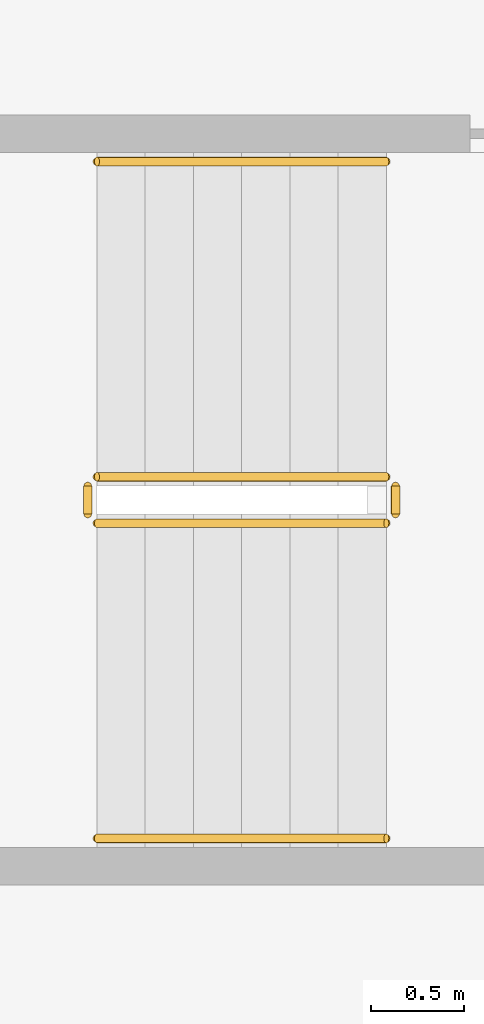
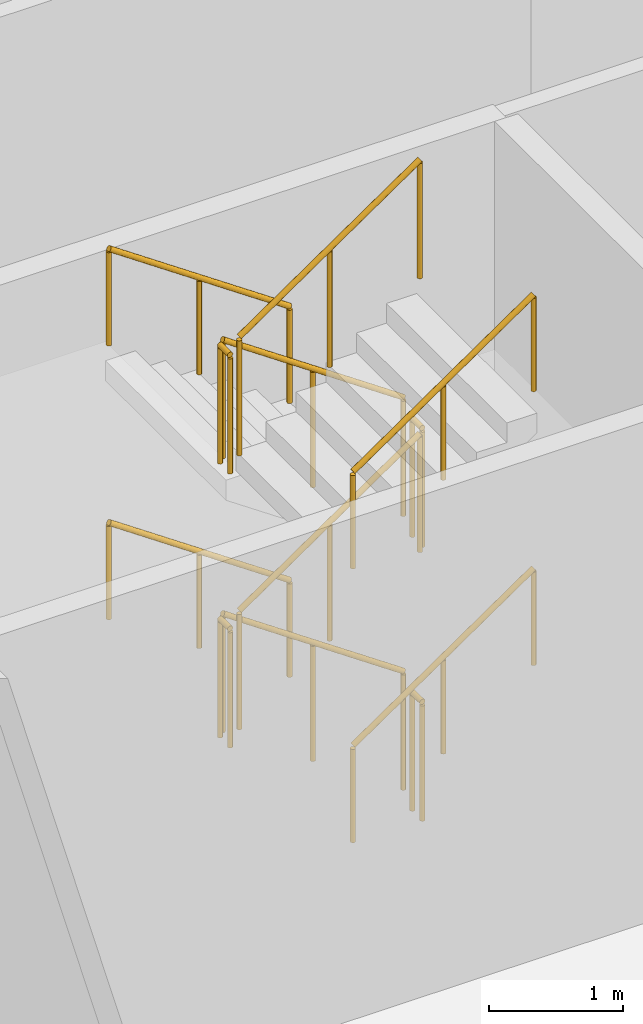
# One storey, part 56 of 59: 12 railings.
"""IFC4 building model written with IfcOpenShell, lengths in metres."""

from ifc_helpers import new_model, si_unit, direction, frame, origin, origin_2d, place, context, subcontext, project, spatial, circle, extrude, material, type_object, element, save


model = new_model("IFC4")

# Units and contexts
model_context = context("Model", 3, precision=1e-05, world=origin(), true_north=direction((0.0, 1.0)))
body_context = subcontext(model_context, "Body", "Model", "MODEL_VIEW")
ifc_project = project(units=[si_unit("LENGTHUNIT", "METRE"), si_unit("AREAUNIT", "SQUARE_METRE"), si_unit("VOLUMEUNIT", "CUBIC_METRE"), si_unit("PLANEANGLEUNIT", "RADIAN"), si_unit("MASSUNIT", "GRAM", prefix="KILO")], contexts=[model_context])

# Site, building, storey
site_placement = place(None, origin())
site = spatial("IfcSite", under=ifc_project, at=site_placement, CompositionType="ELEMENT")
building_placement = place(site_placement, origin())
building = spatial("IfcBuilding", under=site, at=building_placement, Name="Ipe Terrace Towers", CompositionType="ELEMENT")
storey_placement = place(building_placement, frame((0.0, 0.0, 6.0)))
storey = spatial("IfcBuildingStorey", under=building, at=storey_placement, Name="L01", CompositionType="ELEMENT", Elevation=6.0)

# Railings
ifc_material_1 = material(Name="Steel S355", Category="steel")
railing_type_1 = type_object("IfcRailingType", Name="Stair guard 1100", PredefinedType="GUARDRAIL", material=ifc_material_1)
railing_1_placement = place(storey_placement, frame((-54.27001953125, 24.64990234375, 0.178466796875)))
element("IfcRailing", 1, at=railing_1_placement, inside=storey, type_object=railing_type_1, Name="L01 PS1 stair guard 1", PredefinedType="GUARDRAIL", context=body_context, shape_type="SweptSolid", body=[
    extrude(circle(Radius=0.02392578125, at=origin_2d()), frame((0.0, 0.0, 1.076171875), z_axis=(-0.82429025813, 0.0, 0.566167440208), x_axis=(0.0, -1.0, 0.0)), (0.0, 0.0, 1.0), 1.892578125),
    extrude(circle(Radius=0.02099609375, at=origin_2d()), origin(), (0.0, 0.0, 1.0), 1.052001953125),
    extrude(circle(Radius=0.02099609375, at=origin_2d()), frame((-0.780029296875, 0.0, 0.53564453125)), (0.0, 0.0, 1.0), 1.052001953125),
    extrude(circle(Radius=0.02099609375, at=origin_2d()), frame((-1.56005859375, 0.0, 1.071533203125)), (0.0, 0.0, 1.0), 1.052001953125),
])
railing_2_placement = place(storey_placement, frame((-55.8798828125, 24.60009765625, 1.25)))
element("IfcRailing", 2, at=railing_2_placement, inside=storey, type_object=railing_type_1, Name="L01 PS1 stair guard 2", PredefinedType="GUARDRAIL", context=body_context, shape_type="SweptSolid", body=[
    extrude(circle(Radius=0.02392578125, at=origin_2d()), frame((0.0, 0.0, 1.076171875), z_axis=(0.0, -1.0, 0.0), x_axis=(1.0, 0.0, 0.0)), (0.0, 0.0, 1.0), 0.150146484375),
    extrude(circle(Radius=0.02099609375, at=origin_2d()), origin(), (0.0, 0.0, 1.0), 1.052001953125),
    extrude(circle(Radius=0.02099609375, at=origin_2d()), frame((0.0, -0.150146484375, 0.0)), (0.0, 0.0, 1.0), 1.052001953125),
])
railing_3_placement = place(storey_placement, frame((-55.830078125, 24.39990234375, 1.428466796875)))
element("IfcRailing", 3, at=railing_3_placement, inside=storey, type_object=railing_type_1, Name="L01 PS1 stair guard 3", PredefinedType="GUARDRAIL", context=body_context, shape_type="SweptSolid", body=[
    extrude(circle(Radius=0.02392578125, at=origin_2d()), frame((0.0, 0.0, 1.076171875), z_axis=(0.82429025813, 0.0, 0.566167440208), x_axis=(0.0, 1.0, 0.0)), (0.0, 0.0, 1.0), 1.892578125),
    extrude(circle(Radius=0.02099609375, at=origin_2d()), origin(), (0.0, 0.0, 1.0), 1.052001953125),
    extrude(circle(Radius=0.02099609375, at=origin_2d()), frame((0.780029296875, 0.0, 0.53564453125)), (0.0, 0.0, 1.0), 1.052001953125),
    extrude(circle(Radius=0.02099609375, at=origin_2d()), frame((1.56005859375, 0.0, 1.071533203125)), (0.0, 0.0, 1.0), 1.052001953125),
])
railing_4_placement = place(storey_placement, frame((-54.219970703125, 24.60009765625, 2.5)))
element("IfcRailing", 4, at=railing_4_placement, inside=storey, type_object=railing_type_1, Name="L01 PS1 stair guard 4", PredefinedType="GUARDRAIL", context=body_context, shape_type="SweptSolid", body=[
    extrude(circle(Radius=0.02392578125, at=origin_2d()), frame((0.0, 0.0, 1.076171875), z_axis=(0.0, -1.0, 0.0), x_axis=(1.0, 0.0, 0.0)), (0.0, 0.0, 1.0), 0.150146484375),
    extrude(circle(Radius=0.02099609375, at=origin_2d()), origin(), (0.0, 0.0, 1.0), 1.052001953125),
    extrude(circle(Radius=0.02099609375, at=origin_2d()), frame((0.0, -0.150146484375, 0.0)), (0.0, 0.0, 1.0), 1.052001953125),
])
railing_5_placement = place(storey_placement, frame((-54.27001953125, 24.64990234375, 2.678466796875)))
element("IfcRailing", 5, at=railing_5_placement, inside=storey, type_object=railing_type_1, Name="L01 PS1 stair guard 5", PredefinedType="GUARDRAIL", context=body_context, shape_type="SweptSolid", body=[
    extrude(circle(Radius=0.02392578125, at=origin_2d()), frame((0.0, 0.0, 1.076171875), z_axis=(-0.82429025813, 0.0, 0.566167440208), x_axis=(0.0, -1.0, 0.0)), (0.0, 0.0, 1.0), 1.892578125),
    extrude(circle(Radius=0.02099609375, at=origin_2d()), origin(), (0.0, 0.0, 1.0), 1.052001953125),
    extrude(circle(Radius=0.02099609375, at=origin_2d()), frame((-0.780029296875, 0.0, 0.53564453125)), (0.0, 0.0, 1.0), 1.052001953125),
    extrude(circle(Radius=0.02099609375, at=origin_2d()), frame((-1.56005859375, 0.0, 1.071533203125)), (0.0, 0.0, 1.0), 1.052001953125),
])
railing_6_placement = place(storey_placement, frame((-55.8798828125, 24.60009765625, 3.75)))
element("IfcRailing", 6, at=railing_6_placement, inside=storey, type_object=railing_type_1, Name="L01 PS1 stair guard 6", PredefinedType="GUARDRAIL", context=body_context, shape_type="SweptSolid", body=[
    extrude(circle(Radius=0.02392578125, at=origin_2d()), frame((0.0, 0.0, 1.076171875), z_axis=(0.0, -1.0, 0.0), x_axis=(1.0, 0.0, 0.0)), (0.0, 0.0, 1.0), 0.150146484375),
    extrude(circle(Radius=0.02099609375, at=origin_2d()), origin(), (0.0, 0.0, 1.0), 1.052001953125),
    extrude(circle(Radius=0.02099609375, at=origin_2d()), frame((0.0, -0.150146484375, 0.0)), (0.0, 0.0, 1.0), 1.052001953125),
])
railing_7_placement = place(storey_placement, frame((-55.830078125, 24.39990234375, 3.928466796875)))
element("IfcRailing", 7, at=railing_7_placement, inside=storey, type_object=railing_type_1, Name="L01 PS1 stair guard 7", PredefinedType="GUARDRAIL", context=body_context, shape_type="SweptSolid", body=[
    extrude(circle(Radius=0.02392578125, at=origin_2d()), frame((0.0, 0.0, 1.076171875), z_axis=(0.82429025813, 0.0, 0.566167440208), x_axis=(0.0, 1.0, 0.0)), (0.0, 0.0, 1.0), 1.892578125),
    extrude(circle(Radius=0.02099609375, at=origin_2d()), origin(), (0.0, 0.0, 1.0), 1.052001953125),
    extrude(circle(Radius=0.02099609375, at=origin_2d()), frame((0.780029296875, 0.0, 0.53564453125)), (0.0, 0.0, 1.0), 1.052001953125),
    extrude(circle(Radius=0.02099609375, at=origin_2d()), frame((1.56005859375, 0.0, 1.071533203125)), (0.0, 0.0, 1.0), 1.052001953125),
])
railing_8_placement = place(storey_placement, frame((-54.219970703125, 24.60009765625, 0.0)))
element("IfcRailing", 8, at=railing_8_placement, inside=storey, type_object=railing_type_1, Name="L01 PS1 stair guard 8", PredefinedType="GUARDRAIL", context=body_context, shape_type="SweptSolid", body=[
    extrude(circle(Radius=0.02392578125, at=origin_2d()), frame((0.0, 0.0, 1.076171875), z_axis=(0.0, -1.0, 0.0), x_axis=(1.0, 0.0, 0.0)), (0.0, 0.0, 1.0), 0.150146484375),
    extrude(circle(Radius=0.02099609375, at=origin_2d()), origin(), (0.0, 0.0, 1.0), 1.052001953125),
    extrude(circle(Radius=0.02099609375, at=origin_2d()), frame((0.0, -0.150146484375, 0.0)), (0.0, 0.0, 1.0), 1.052001953125),
])
ifc_material_2 = material(Name="Stainless steel grade 304", Category="steel")
railing_type_2 = type_object("IfcRailingType", Name="Stair handrail 900", PredefinedType="HANDRAIL", material=ifc_material_2)
railing_9_placement = place(storey_placement, frame((-54.27001953125, 26.35009765625, 0.178466796875)))
element("IfcRailing", 9, at=railing_9_placement, inside=storey, type_object=railing_type_2, Name="L01 PS1 stair handrail 1", PredefinedType="HANDRAIL", context=body_context, shape_type="SweptSolid", body=[
    extrude(circle(Radius=0.02392578125, at=origin_2d()), frame((0.0, 0.0, 0.8759765625), z_axis=(-0.82429025813, 0.0, 0.566167440208), x_axis=(0.0, -1.0, 0.0)), (0.0, 0.0, 1.0), 1.892578125),
    extrude(circle(Radius=0.02099609375, at=origin_2d()), origin(), (0.0, 0.0, 1.0), 0.851806640625),
    extrude(circle(Radius=0.02099609375, at=origin_2d()), frame((-0.780029296875, 0.0, 0.53564453125)), (0.0, 0.0, 1.0), 0.851806640625),
    extrude(circle(Radius=0.02099609375, at=origin_2d()), frame((-1.56005859375, 0.0, 1.071533203125)), (0.0, 0.0, 1.0), 0.851806640625),
])
railing_10_placement = place(storey_placement, frame((-55.830078125, 22.699951171875, 1.428466796875)))
element("IfcRailing", 10, at=railing_10_placement, inside=storey, type_object=railing_type_2, Name="L01 PS1 stair handrail 2", PredefinedType="HANDRAIL", context=body_context, shape_type="SweptSolid", body=[
    extrude(circle(Radius=0.02392578125, at=origin_2d()), frame((0.0, 0.0, 0.8759765625), z_axis=(0.82429025813, 0.0, 0.566167440208), x_axis=(0.0, 1.0, 0.0)), (0.0, 0.0, 1.0), 1.892578125),
    extrude(circle(Radius=0.02099609375, at=origin_2d()), origin(), (0.0, 0.0, 1.0), 0.851806640625),
    extrude(circle(Radius=0.02099609375, at=origin_2d()), frame((0.780029296875, 0.0, 0.53564453125)), (0.0, 0.0, 1.0), 0.851806640625),
    extrude(circle(Radius=0.02099609375, at=origin_2d()), frame((1.56005859375, 0.0, 1.071533203125)), (0.0, 0.0, 1.0), 0.851806640625),
])
railing_11_placement = place(storey_placement, frame((-54.27001953125, 26.35009765625, 2.678466796875)))
element("IfcRailing", 11, at=railing_11_placement, inside=storey, type_object=railing_type_2, Name="L01 PS1 stair handrail 3", PredefinedType="HANDRAIL", context=body_context, shape_type="SweptSolid", body=[
    extrude(circle(Radius=0.02392578125, at=origin_2d()), frame((0.0, 0.0, 0.8759765625), z_axis=(-0.82429025813, 0.0, 0.566167440208), x_axis=(0.0, -1.0, 0.0)), (0.0, 0.0, 1.0), 1.892578125),
    extrude(circle(Radius=0.02099609375, at=origin_2d()), origin(), (0.0, 0.0, 1.0), 0.851806640625),
    extrude(circle(Radius=0.02099609375, at=origin_2d()), frame((-0.780029296875, 0.0, 0.53564453125)), (0.0, 0.0, 1.0), 0.851806640625),
    extrude(circle(Radius=0.02099609375, at=origin_2d()), frame((-1.56005859375, 0.0, 1.071533203125)), (0.0, 0.0, 1.0), 0.851806640625),
])
railing_12_placement = place(storey_placement, frame((-55.830078125, 22.699951171875, 3.928466796875)))
element("IfcRailing", 12, at=railing_12_placement, inside=storey, type_object=railing_type_2, Name="L01 PS1 stair handrail 4", PredefinedType="HANDRAIL", context=body_context, shape_type="SweptSolid", body=[
    extrude(circle(Radius=0.02392578125, at=origin_2d()), frame((0.0, 0.0, 0.8759765625), z_axis=(0.82429025813, 0.0, 0.566167440208), x_axis=(0.0, 1.0, 0.0)), (0.0, 0.0, 1.0), 1.892578125),
    extrude(circle(Radius=0.02099609375, at=origin_2d()), origin(), (0.0, 0.0, 1.0), 0.851806640625),
    extrude(circle(Radius=0.02099609375, at=origin_2d()), frame((0.780029296875, 0.0, 0.53564453125)), (0.0, 0.0, 1.0), 0.851806640625),
    extrude(circle(Radius=0.02099609375, at=origin_2d()), frame((1.56005859375, 0.0, 1.071533203125)), (0.0, 0.0, 1.0), 0.851806640625),
])

save(model, "model.ifc")
